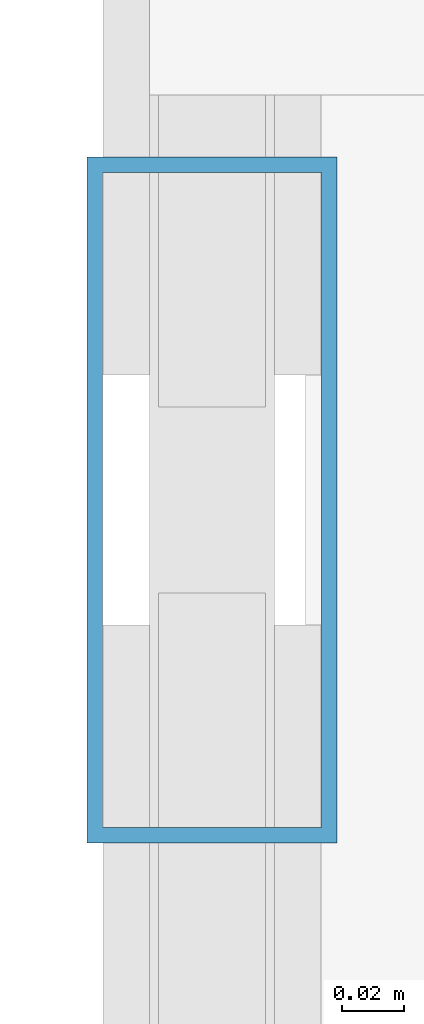
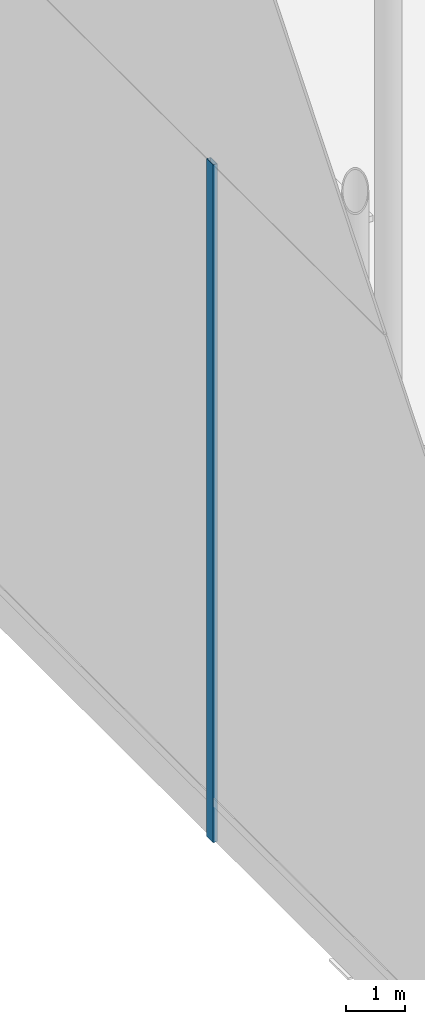
# One storey, part 8 of 42: 1 member, 1 element without a shape of its own.
"""IFC4 building model written with IfcOpenShell, lengths in metres."""

import ifcopenshell
import ifcopenshell.guid

model = None  # the IFC model being written
_history = None  # IfcOwnerHistory: only IFC2X3 demands one
_inside = {}  # id of a spatial element -> (the spatial element, [elements in it])
_under = {}  # id of a project, library or spatial element -> (it, [spatial elements below it])
_declared = {}  # id of a project -> (the project, [libraries it declares])
_typed = {}  # id of a type object -> (the type object, [elements of that type])
_made_of = {}  # id of a material, layer set ... -> (it, [elements and type objects made of it])


def new_model(schema):
    """Start an empty IFC model of exactly this schema.

    Asked for "IFC4X3", IfcOpenShell would pick the latest addendum, in which some entities
    have other attributes; the version numbers below select the first issue.
    IFC2X3 requires an IfcOwnerHistory on every rooted entity: one is made here for all.
    """
    global model, _history
    if schema == "IFC4X3":
        model = ifcopenshell.file(schema_version=(4, 3, 0, 0))
    else:
        model = ifcopenshell.file(schema=schema)
    _inside.clear()
    _under.clear()
    _declared.clear()
    _typed.clear()
    _made_of.clear()
    _history = None
    if model.schema == "IFC2X3":
        org = make("IfcOrganization", Name="unknown")
        user = make(
            "IfcPersonAndOrganization",
            ThePerson=make("IfcPerson", FamilyName="unknown"),
            TheOrganization=org,
        )
        app = make(
            "IfcApplication",
            ApplicationDeveloper=org,
            Version="unknown",
            ApplicationFullName="unknown",
            ApplicationIdentifier="unknown",
        )
        _history = make(
            "IfcOwnerHistory",
            OwningUser=user,
            OwningApplication=app,
            ChangeAction="ADDED",
            CreationDate=0,
        )
    return model


def make(cls, **values):
    """One entity of the class cls with the attributes given. An attribute that is None is left unset."""
    return model.create_entity(
        cls, **{name: value for name, value in values.items() if value is not None}
    )


def rooted(cls, **values):
    """An entity with a GlobalId (a new one), such as an element, a storey or a relation."""
    return make(cls, GlobalId=ifcopenshell.guid.new(), OwnerHistory=_history, **values)


def si_unit(unit_type, name, prefix=None):
    """IfcSIUnit, for example si_unit("LENGTHUNIT", "METRE", prefix="MILLI")."""
    return make("IfcSIUnit", UnitType=unit_type, Prefix=prefix, Name=name)


def assignment(units):
    """IfcUnitAssignment: the units of a project."""
    return None if units is None else make("IfcUnitAssignment", Units=units)


def point(xyz):
    """IfcCartesianPoint."""
    return None if xyz is None else make("IfcCartesianPoint", Coordinates=xyz)


def direction(xyz):
    """IfcDirection."""
    return None if xyz is None else make("IfcDirection", DirectionRatios=xyz)


def frame(location, z_axis=None, x_axis=None):
    """IfcAxis2Placement3D, a coordinate frame: its origin and axes. An axis left out is left unset."""
    return make(
        "IfcAxis2Placement3D",
        Location=point(location),
        Axis=direction(z_axis),
        RefDirection=direction(x_axis),
    )


def frame_2d(location, x_axis=None):
    """IfcAxis2Placement2D, a coordinate frame in the plane: its origin and x axis."""
    return make(
        "IfcAxis2Placement2D", Location=point(location), RefDirection=direction(x_axis)
    )


def origin():
    """The frame at (0, 0, 0) with its axes left unset."""
    return frame((0.0, 0.0, 0.0))


def origin_2d():
    """The frame at (0, 0) in the plane with its x axis left unset."""
    return frame_2d((0.0, 0.0))


def place(relative_to, where):
    """IfcLocalPlacement: puts the frame where relative to a parent placement (None: the world)."""
    return make(
        "IfcLocalPlacement", PlacementRelTo=relative_to, RelativePlacement=where
    )


def context(
    kind, dimensions, precision=None, world=None, true_north=None, identifier=None
):
    """IfcGeometricRepresentationContext, for example the 3D "Model" context."""
    return make(
        "IfcGeometricRepresentationContext",
        ContextIdentifier=identifier,
        ContextType=kind,
        CoordinateSpaceDimension=dimensions,
        Precision=precision,
        WorldCoordinateSystem=world,
        TrueNorth=true_north,
    )


def subcontext(parent, identifier, kind, view, scale=None):
    """IfcGeometricRepresentationSubContext, for example "Body" below "Model"."""
    return make(
        "IfcGeometricRepresentationSubContext",
        ContextIdentifier=identifier,
        ContextType=kind,
        ParentContext=parent,
        TargetScale=scale,
        TargetView=view,
    )


def project(units=None, contexts=None):
    """IfcProject with its units and contexts."""
    return rooted(
        "IfcProject",
        Name="project",
        RepresentationContexts=contexts,
        UnitsInContext=assignment(units),
    )


def spatial(cls, under=None, at=None, **own):
    """A site, building, storey or space (cls), placed at a placement, below another one or the project."""
    s = rooted(cls, ObjectPlacement=at, **own)
    if under is not None:
        _under.setdefault(under.id(), (under, []))[1].append(s)
    return s


def profile(cls, at=None, kind="AREA", **sizes):
    """A parametric profile (cls). Its sizes go by their IFC names, for example OverallWidth=200.0."""
    return make(cls, ProfileType=kind, Position=at, **sizes)


def hollow_rectangle(**sizes):
    """IfcRectangleHollowProfileDef."""
    return profile("IfcRectangleHollowProfileDef", **sizes)


def extrude(swept, where, along, depth):
    """IfcExtrudedAreaSolid: the profile swept, set in the frame where, extruded along a direction by depth."""
    return make(
        "IfcExtrudedAreaSolid",
        SweptArea=swept,
        Position=where,
        ExtrudedDirection=direction(along),
        Depth=depth,
    )


def shape(context_of_items, identifier, shape_type, items):
    """IfcShapeRepresentation: the items that make up one representation, for example the "Body"."""
    return make(
        "IfcShapeRepresentation",
        ContextOfItems=context_of_items,
        RepresentationIdentifier=identifier,
        RepresentationType=shape_type,
        Items=items,
    )


def material(Name=None, Category=None):
    """IfcMaterial."""
    return make("IfcMaterial", Name=Name, Category=Category)


def layer(
    of_material, thickness, ventilated=None, Name=None, Category=None, Priority=None
):
    """IfcMaterialLayer: one layer of a wall or slab, of a material (None: an air gap)."""
    return make(
        "IfcMaterialLayer",
        Material=of_material,
        LayerThickness=thickness,
        IsVentilated=ventilated,
        Name=Name,
        Category=Category,
        Priority=Priority,
    )


def layer_set(layers, Name=None):
    """IfcMaterialLayerSet."""
    return make("IfcMaterialLayerSet", MaterialLayers=layers, LayerSetName=Name)


def material_profile(
    of_material, cross_section, Name=None, Category=None, Priority=None
):
    """IfcMaterialProfile: a cross section and its material."""
    return make(
        "IfcMaterialProfile",
        Name=Name,
        Material=of_material,
        Profile=cross_section,
        Priority=Priority,
        Category=Category,
    )


def profile_set(profiles, Name=None, composite=None):
    """IfcMaterialProfileSet."""
    return make(
        "IfcMaterialProfileSet",
        Name=Name,
        MaterialProfiles=profiles,
        CompositeProfile=composite,
    )


def made_of(thing, what):
    """Note that an element or type object is made of a material, layer set ...; save() writes the relation."""
    if what is not None:
        _made_of.setdefault(what.id(), (what, []))[1].append(thing)
    return thing


def type_object(cls, material=None, **own):
    """A type object (cls), such as IfcWallType, which elements share."""
    return made_of(rooted(cls, **own), material)


def element(
    cls,
    number,
    at=None,
    inside=None,
    cuts=None,
    type_object=None,
    material=None,
    context=None,
    identifier="Body",
    shape_type=None,
    held_by="IfcProductDefinitionShape",
    body=None,
    shapes=None,
    **own,
):
    """One element of the class cls, such as IfcWall. Its Tag is "e" and its number.

    at: its placement. inside: the storey or other place that contains it. cuts: it is an
    opening in that element (IfcRelVoidsElement). A single representation is given by context,
    identifier, shape_type and body (its items); several are given by shapes. held_by: the class
    of the entity that holds the representations. save() writes the other relations.
    """
    e = rooted(cls, Tag="e%d" % number, ObjectPlacement=at, **own)
    if body is not None:
        shapes = [shape(context, identifier, shape_type, body)]
    if shapes is not None:
        e.Representation = make(held_by, Representations=shapes)
    if inside is not None:
        _inside.setdefault(inside.id(), (inside, []))[1].append(e)
    if cuts is not None:
        rooted(
            "IfcRelVoidsElement", RelatingBuildingElement=cuts, RelatedOpeningElement=e
        )
    if type_object is not None:
        _typed.setdefault(type_object.id(), (type_object, []))[1].append(e)
    return made_of(e, material)


def aggregate(whole, parts):
    """IfcRelAggregates: a whole, such as a stair, and the parts it consists of."""
    return rooted("IfcRelAggregates", RelatingObject=whole, RelatedObjects=parts)


def save(model, path):
    """Write the relations noted so far, then the file.

    IfcRelAggregates (storeys below a building ...), IfcRelContainedInSpatialStructure (elements
    in a storey), IfcRelDefinesByType, IfcRelAssociatesMaterial and IfcRelDeclares: one each for
    every whole, place, type object, material and project.
    """
    for whole, parts in _under.values():
        aggregate(whole, parts)
    for where, things in _inside.values():
        rooted(
            "IfcRelContainedInSpatialStructure",
            RelatedElements=things,
            RelatingStructure=where,
        )
    for kind, things in _typed.values():
        rooted("IfcRelDefinesByType", RelatedObjects=things, RelatingType=kind)
    for what, things in _made_of.values():
        rooted("IfcRelAssociatesMaterial", RelatedObjects=things, RelatingMaterial=what)
    for by, libraries in _declared.values():
        rooted("IfcRelDeclares", RelatingContext=by, RelatedDefinitions=libraries)
    model.write(path)


model = new_model("IFC4")

# Units and contexts
model_context = context("Model", 3, precision=1e-05, world=origin(), true_north=direction((0.0, 1.0)))
body_context = subcontext(model_context, "Body", "Model", "MODEL_VIEW")
ifc_project = project(units=[si_unit("LENGTHUNIT", "METRE"), si_unit("AREAUNIT", "SQUARE_METRE"), si_unit("VOLUMEUNIT", "CUBIC_METRE"), si_unit("PLANEANGLEUNIT", "RADIAN"), si_unit("MASSUNIT", "GRAM", prefix="KILO")], contexts=[model_context])

# Site, building, storey
site_placement = place(None, origin())
site = spatial("IfcSite", under=ifc_project, at=site_placement, CompositionType="ELEMENT")
building_placement = place(site_placement, origin())
building = spatial("IfcBuilding", under=site, at=building_placement, Name="Kallvorn Hotel Tower", CompositionType="ELEMENT")
storey_placement = place(building_placement, frame((0.0, 0.0, 306.0)))
storey = spatial("IfcBuildingStorey", under=building, at=storey_placement, Name="ROOF", CompositionType="ELEMENT", Elevation=306.0)

# Curtain wall, member
ifc_material_1 = material(Name="Thermally broken black-anodised aluminium AA 6063-T6", Category="aluminium")
ifc_layer = layer(ifc_material_1, 0.18994140625)
ifc_layer_set = layer_set([ifc_layer], Name="CW_SYS_7_CROWN_DRUM")
curtain_wall_type = type_object("IfcCurtainWallType", Name="CW_SYS_7_CROWN_DRUM", PredefinedType="USERDEFINED", material=ifc_layer_set)
curtain_wall_placement = place(storey_placement, origin())
curtain_wall = element("IfcCurtainWall", 1, at=curtain_wall_placement, inside=storey, type_object=curtain_wall_type, Name="ROOF Dark-Glass Curtain Wall CW-ROOF-W1", ObjectType="UNITISED CURTAIN WALL", PredefinedType="USERDEFINED")
ifc_material_2 = material(Name="Thermally broken black-anodised aluminium AA 6063-T6", Category="aluminium")
ifc_material_profile = material_profile(ifc_material_2, hollow_rectangle(XDim=0.080078125, YDim=0.219970703125, WallThickness=0.0048828125, at=origin_2d()), Name="MUL 220x80")
ifc_profile_set = profile_set([ifc_material_profile], Name="Thermally broken black-anodised aluminium AA 6063-T6")
member_type = type_object("IfcMemberType", Name="CW_MULLION_220x80", PredefinedType="MULLION", material=ifc_profile_set)
member_placement = place(storey_placement, frame((-29.050048828125, -10.0, 0.02001953125), z_axis=(0.0, 0.0, 1.0), x_axis=(1.0, 0.0, 0.0)))
member = element("IfcMember", 2, at=member_placement, type_object=member_type, Name="CW-ROOF-W1 Mullion 01", PredefinedType="MULLION", context=body_context, shape_type="SweptSolid", body=[
    extrude(hollow_rectangle(XDim=0.080078125, YDim=0.219970703125, WallThickness=0.0048828125, at=origin_2d()), origin(), (0.0, 0.0, 1.0), 13.9599609375),
])
aggregate(curtain_wall, [member])

save(model, "model.ifc")
